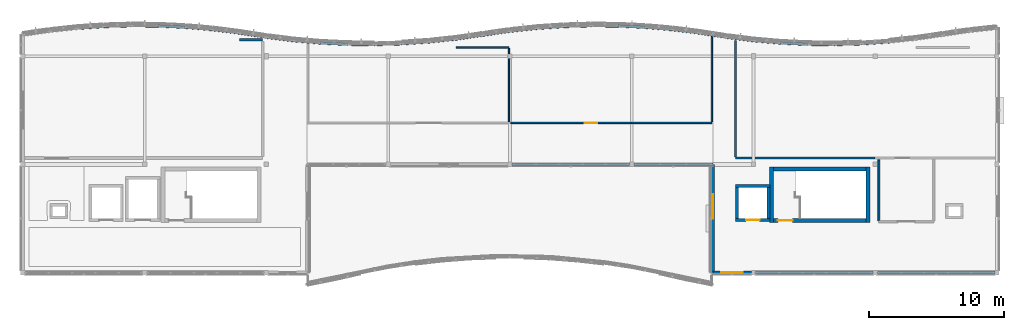
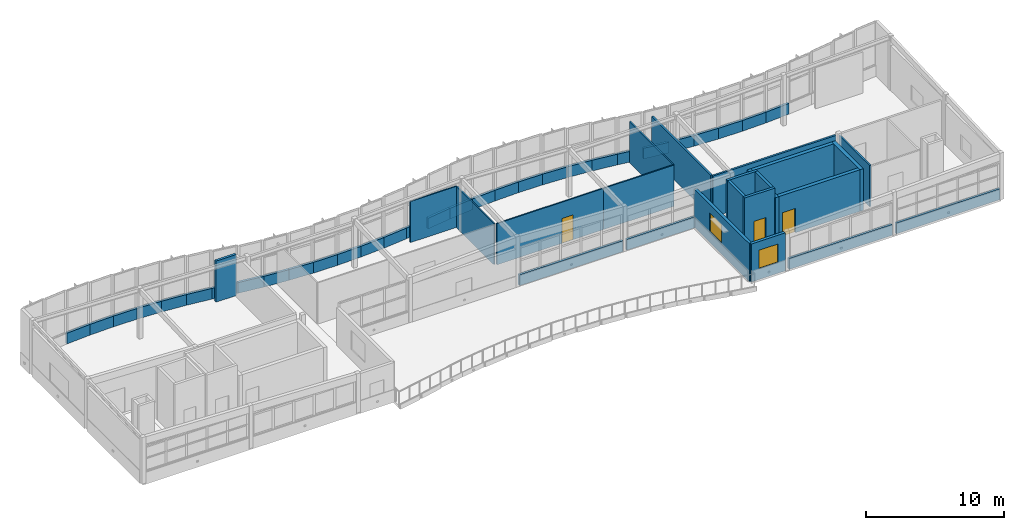
# One storey, part 14 of 20: 53 walls, 3 doors, 2 windows, 5 openings.
"""IFC4 building model written with IfcOpenShell, lengths in metres."""

from ifc_helpers import new_model, si_unit, direction, frame, frame_2d, origin, place, context, subcontext, project, spatial, rectangle, extrude, material, layer, layer_set, type_object, element, fill, save


model = new_model("IFC4")

# Units and contexts
model_context = context("Model", 3, precision=1e-05, world=origin(), true_north=direction((0.0, 1.0)))
body_context = subcontext(model_context, "Body", "Model", "MODEL_VIEW")
ifc_project = project(units=[si_unit("LENGTHUNIT", "METRE"), si_unit("AREAUNIT", "SQUARE_METRE"), si_unit("VOLUMEUNIT", "CUBIC_METRE"), si_unit("PLANEANGLEUNIT", "RADIAN"), si_unit("MASSUNIT", "GRAM", prefix="KILO")], contexts=[model_context])

# Site, building, storey
site_placement = place(None, origin())
site = spatial("IfcSite", under=ifc_project, at=site_placement, CompositionType="ELEMENT")
building_placement = place(site_placement, origin())
building = spatial("IfcBuilding", under=site, at=building_placement, Name="Tonlespit Floodbar School", CompositionType="ELEMENT")
storey_placement = place(building_placement, frame((0.0, 0.0, 20.10009765625)))
storey = spatial("IfcBuildingStorey", under=building, at=storey_placement, Name="L05", CompositionType="ELEMENT", Elevation=20.10009765625)

# Walls
ifc_material_1 = material(Name="Concrete C40/50", Category="concrete")
ifc_layer_1 = layer(ifc_material_1, 0.300048828125)
ifc_layer_set_1 = layer_set([ifc_layer_1], Name="Concrete C40/50")
wall_type_1 = type_object("IfcWallType", Name="CoreWall_RC_300", PredefinedType="SHEAR", material=ifc_layer_set_1)
for number, where, z_axis, x_axis, name in (
    (1, (99.35009765625, 107.699951171875, 0.0), (0.0, 0.0, 1.0), (0.0, 1.0, 0.0), "L05 core C2 shear wall NEAR"),
    (2, (106.449951171875, 111.800048828125, 0.0), (0.0, 0.0, 1.0), (0.0, -1.0, 0.0), "L05 core C2 shear wall FAR"),
):
    element("IfcWall", number, at=place(storey_placement, frame(where, z_axis=z_axis, x_axis=x_axis)), inside=storey, type_object=wall_type_1, Name=name, PredefinedType="SHEAR", context=body_context, shape_type="SweptSolid", body=[
        extrude(rectangle(XDim=4.10009765625, YDim=0.300048828125, at=frame_2d((2.050048828125, 0.0))), origin(), (0.0, 0.0, 1.0), 3.685302734375),
    ])

# Wall, opening, door
wall_1_placement = place(storey_placement, frame((99.5, 107.85009765625, 0.0), z_axis=(0.0, 0.0, 1.0), x_axis=(1.0, 0.0, 0.0)))
wall_1 = element("IfcWall", 3, at=wall_1_placement, inside=storey, type_object=wall_type_1, Name="L05 core C2 shear wall LEFT", PredefinedType="SHEAR", context=body_context, shape_type="SweptSolid", body=[
    extrude(rectangle(XDim=6.800048828125, YDim=0.300048828125, at=frame_2d((3.39990234375, 0.0))), origin(), (0.0, 0.0, 1.0), 3.685302734375),
])
opening_1_placement = place(wall_1_placement, frame((0.300048828125, 0.0, 0.0)))
opening_1 = element("IfcOpeningElement", 4, at=opening_1_placement, cuts=wall_1, Name="Opening FD1-C2-L05", PredefinedType="OPENING", context=body_context, shape_type="SweptSolid", body=[
    extrude(rectangle(XDim=1.10009765625, YDim=2.14990234375, at=frame_2d((0.550048828125, 1.074951171875))), frame((0.0, 0.159912109375, 0.0), z_axis=(0.0, -1.0, 0.0), x_axis=(1.0, 0.0, 0.0)), (0.0, 0.0, 1.0), 0.320068359375),
])
ifc_material_2 = material(Name="Galvanised Steel", Category="steel")
door_type_1 = type_object("IfcDoorType", Name="FireDoor_Stair_1100x2150", OperationType="NOTDEFINED", PredefinedType="DOOR", material=ifc_material_2)
door_1_placement = place(opening_1_placement, origin())
door_1 = element("IfcDoor", 5, at=door_1_placement, inside=storey, type_object=door_type_1, Name="L05 stair ST-C2 fire door", OperationType="SINGLE_SWING_RIGHT", OverallHeight=2.14990234375, OverallWidth=1.10009765625, PredefinedType="DOOR", context=body_context, shape_type="SweptSolid", body=[
    extrude(rectangle(XDim=1.10009765625, YDim=2.14990234375, at=frame_2d((0.550048828125, 1.074951171875))), frame((0.0, 0.02490234375, 0.0), z_axis=(0.0, -1.0, 0.0), x_axis=(1.0, 0.0, 0.0)), (0.0, 0.0, 1.0), 0.050048828125),
])
fill(opening_1, door_1)

# Wall
wall_2_placement = place(storey_placement, frame((106.300048828125, 111.64990234375, 0.0), z_axis=(0.0, 0.0, 1.0), x_axis=(-1.0, 0.0, 0.0)))
element("IfcWall", 6, at=wall_2_placement, inside=storey, type_object=wall_type_1, Name="L05 core C2 shear wall RGHT", PredefinedType="SHEAR", context=body_context, shape_type="SweptSolid", body=[
    extrude(rectangle(XDim=6.800048828125, YDim=0.300048828125, at=frame_2d((3.39990234375, 0.0))), origin(), (0.0, 0.0, 1.0), 3.685302734375),
])

# Wall, opening, window
ifc_material_3 = material(Name="Precast concrete C40/50", Category="concrete")
ifc_layer_2 = layer(ifc_material_3, 0.239990234375)
ifc_layer_set_2 = layer_set([ifc_layer_2], Name="Precast concrete C40/50")
wall_type_2 = type_object("IfcWallType", Name="ExtWall_Rainscreen_240", PredefinedType="SOLIDWALL", material=ifc_layer_set_2)
wall_3_placement = place(storey_placement, frame((97.840087890625, 104.0, 0.0), z_axis=(0.0, 0.0, 1.0), x_axis=(-1.0, 0.0, 0.0)))
wall_3 = element("IfcWall", 7, at=wall_3_placement, inside=storey, type_object=wall_type_2, Name="L05 external wall 0274", PredefinedType="SOLIDWALL", context=body_context, shape_type="SweptSolid", body=[
    extrude(rectangle(XDim=2.840087890625, YDim=0.239990234375, at=frame_2d((1.419921875, 0.0))), origin(), (0.0, 0.0, 1.0), 3.37158203125),
])
opening_2_placement = place(wall_3_placement, frame((0.6201171875, 0.0, 0.949951171875)))
opening_2 = element("IfcOpeningElement", 8, at=opening_2_placement, cuts=wall_3, Name="Opening W-L05-011", PredefinedType="OPENING", context=body_context, shape_type="SweptSolid", body=[
    extrude(rectangle(XDim=1.60009765625, YDim=1.64990234375, at=frame_2d((0.800048828125, 0.824951171875))), frame((0.0, 0.1298828125, 0.0), z_axis=(0.0, -1.0, 0.0), x_axis=(1.0, 0.0, 0.0)), (0.0, 0.0, 1.0), 0.260009765625),
])
ifc_material_4 = material(Name="Tempered Double Glazing", Category="glass")
window_type_1 = type_object("IfcWindowType", Name="Win_Mod_1600x1650", PartitioningType="DOUBLE_PANEL_VERTICAL", PredefinedType="WINDOW", material=ifc_material_4)
window_1_placement = place(opening_2_placement, origin())
window_1 = element("IfcWindow", 9, at=window_1_placement, inside=storey, type_object=window_type_1, Name="L05 window W-L05-011", OverallHeight=1.64990234375, OverallWidth=1.60009765625, PartitioningType="DOUBLE_PANEL_VERTICAL", PredefinedType="WINDOW", context=body_context, shape_type="SweptSolid", body=[
    extrude(rectangle(XDim=1.60009765625, YDim=1.64990234375, at=frame_2d((0.800048828125, 0.824951171875))), frame((0.0, 0.030029296875, 0.0), z_axis=(0.0, -1.0, 0.0), x_axis=(1.0, 0.0, 0.0)), (0.0, 0.0, 1.0), 0.06005859375),
])
fill(opening_2, window_1)

wall_4_placement = place(storey_placement, frame((95.0, 104.0, 0.0), z_axis=(0.0, 0.0, 1.0), x_axis=(0.0, 1.0, 0.0)))
wall_4 = element("IfcWall", 10, at=wall_4_placement, inside=storey, type_object=wall_type_2, Name="L05 external wall 0275", PredefinedType="SOLIDWALL", context=body_context, shape_type="SweptSolid", body=[
    extrude(rectangle(XDim=8.0, YDim=0.239990234375, at=frame_2d((4.0, 0.0))), origin(), (0.0, 0.0, 1.0), 3.37158203125),
])
opening_3_placement = place(wall_4_placement, frame((4.0, 0.0, 0.949951171875)))
opening_3 = element("IfcOpeningElement", 11, at=opening_3_placement, cuts=wall_4, Name="Opening W-L05-012", PredefinedType="OPENING", context=body_context, shape_type="SweptSolid", body=[
    extrude(rectangle(XDim=1.800048828125, YDim=1.64990234375, at=frame_2d((0.89990234375, 0.824951171875))), frame((0.0, 0.1298828125, 0.0), z_axis=(0.0, -1.0, 0.0), x_axis=(1.0, 0.0, 0.0)), (0.0, 0.0, 1.0), 0.260009765625),
])
window_type_2 = type_object("IfcWindowType", Name="Win_Mod_1800x1650", PartitioningType="DOUBLE_PANEL_VERTICAL", PredefinedType="WINDOW", material=ifc_material_4)
window_2_placement = place(opening_3_placement, origin())
window_2 = element("IfcWindow", 12, at=window_2_placement, inside=storey, type_object=window_type_2, Name="L05 window W-L05-012", OverallHeight=1.64990234375, OverallWidth=1.800048828125, PartitioningType="DOUBLE_PANEL_VERTICAL", PredefinedType="WINDOW", context=body_context, shape_type="SweptSolid", body=[
    extrude(rectangle(XDim=1.800048828125, YDim=1.64990234375, at=frame_2d((0.89990234375, 0.824951171875))), frame((0.0, 0.030029296875, 0.0), z_axis=(0.0, -1.0, 0.0), x_axis=(1.0, 0.0, 0.0)), (0.0, 0.0, 1.0), 0.06005859375),
])
fill(opening_3, window_2)

# Walls
ifc_material_5 = material(Name="White Architectural Precast concrete C40/50", Category="concrete")
ifc_layer_3 = layer(ifc_material_5, 0.199951171875)
ifc_layer_set_3 = layer_set([ifc_layer_3], Name="White Architectural Precast concrete C40/50")
wall_type_3 = type_object("IfcWallType", Name="ExtWall_Spandrel_White_200", PredefinedType="SOLIDWALL", material=ifc_layer_set_3)
wall_5_placement = place(storey_placement, frame((48.0, 122.05419921875, 0.0), z_axis=(0.0, 0.0, 1.0), x_axis=(0.997729302978, 0.067351599676, 0.0)))
element("IfcWall", 13, at=wall_5_placement, inside=storey, type_object=wall_type_3, Name="L05 spandrel wall 0238", PredefinedType="SOLIDWALL", context=body_context, shape_type="SweptSolid", body=[
    extrude(rectangle(XDim=2.004638671875, YDim=0.199951171875, at=frame_2d((1.00244140625, 0.0))), origin(), (0.0, 0.0, 1.0), 0.949951171875),
])
wall_6_placement = place(storey_placement, frame((50.0, 122.189208984375, 0.0), z_axis=(0.0, 0.0, 1.0), x_axis=(0.999581770858, 0.028918564416, 0.0)))
element("IfcWall", 14, at=wall_6_placement, inside=storey, type_object=wall_type_3, Name="L05 spandrel wall 0239", PredefinedType="SOLIDWALL", context=body_context, shape_type="SweptSolid", body=[
    extrude(rectangle(XDim=2.000732421875, YDim=0.199951171875, at=frame_2d((1.00048828125, 0.0))), origin(), (0.0, 0.0, 1.0), 0.949951171875),
])
wall_7_placement = place(storey_placement, frame((52.0, 122.2470703125, 0.0), z_axis=(0.0, 0.0, 1.0), x_axis=(0.999953504169, -0.009643106302, 0.0)))
element("IfcWall", 15, at=wall_7_placement, inside=storey, type_object=wall_type_3, Name="L05 spandrel wall 0240", PredefinedType="SOLIDWALL", context=body_context, shape_type="SweptSolid", body=[
    extrude(rectangle(XDim=2.0, YDim=0.199951171875, at=frame_2d((1.0, 0.0))), origin(), (0.0, 0.0, 1.0), 0.949951171875),
])
wall_8_placement = place(storey_placement, frame((54.0, 122.227783203125, 0.0), z_axis=(0.0, 0.0, 1.0), x_axis=(0.99884540439, -0.048040172037, 0.0)))
element("IfcWall", 16, at=wall_8_placement, inside=storey, type_object=wall_type_3, Name="L05 spandrel wall 0241", PredefinedType="SOLIDWALL", context=body_context, shape_type="SweptSolid", body=[
    extrude(rectangle(XDim=2.002197265625, YDim=0.199951171875, at=frame_2d((1.0009765625, 0.0))), origin(), (0.0, 0.0, 1.0), 0.949951171875),
])
wall_9_placement = place(storey_placement, frame((56.0, 122.131591796875, 0.0), z_axis=(0.0, 0.0, 1.0), x_axis=(0.996244237948, -0.086587633962, 0.0)))
element("IfcWall", 17, at=wall_9_placement, inside=storey, type_object=wall_type_3, Name="L05 spandrel wall 0242", PredefinedType="SOLIDWALL", context=body_context, shape_type="SweptSolid", body=[
    extrude(rectangle(XDim=2.007568359375, YDim=0.199951171875, at=frame_2d((1.00390625, 0.0))), origin(), (0.0, 0.0, 1.0), 0.949951171875),
])
wall_10_placement = place(storey_placement, frame((58.0, 121.957763671875, 0.0), z_axis=(0.0, 0.0, 1.0), x_axis=(0.992158168336, -0.124988675503, 0.0)))
element("IfcWall", 18, at=wall_10_placement, inside=storey, type_object=wall_type_3, Name="L05 spandrel wall 0243", PredefinedType="SOLIDWALL", context=body_context, shape_type="SweptSolid", body=[
    extrude(rectangle(XDim=2.015869140625, YDim=0.199951171875, at=frame_2d((1.0078125, 0.0))), origin(), (0.0, 0.0, 1.0), 0.949951171875),
])
wall_11_placement = place(storey_placement, frame((60.0, 121.705810546875, 0.0), z_axis=(0.0, 0.0, 1.0), x_axis=(0.988085509852, -0.153905897287, 0.0)))
element("IfcWall", 19, at=wall_11_placement, inside=storey, type_object=wall_type_3, Name="L05 spandrel wall 0244", PredefinedType="SOLIDWALL", context=body_context, shape_type="SweptSolid", body=[
    extrude(rectangle(XDim=2.024169921875, YDim=0.199951171875, at=frame_2d((1.01220703125, 0.0))), origin(), (0.0, 0.0, 1.0), 0.949951171875),
])
wall_12_placement = place(storey_placement, frame((62.0, 121.394287109375, 0.0), z_axis=(0.0, 0.0, 1.0), x_axis=(0.992158168336, -0.124988675503, 0.0)))
element("IfcWall", 20, at=wall_12_placement, inside=storey, type_object=wall_type_3, Name="L05 spandrel wall 0245", PredefinedType="SOLIDWALL", context=body_context, shape_type="SweptSolid", body=[
    extrude(rectangle(XDim=2.015869140625, YDim=0.199951171875, at=frame_2d((1.0078125, 0.0))), origin(), (0.0, 0.0, 1.0), 0.949951171875),
])
wall_13_placement = place(storey_placement, frame((64.0, 121.142333984375, 0.0), z_axis=(0.0, 0.0, 1.0), x_axis=(0.996244237948, -0.086587633962, 0.0)))
element("IfcWall", 21, at=wall_13_placement, inside=storey, type_object=wall_type_3, Name="L05 spandrel wall 0246", PredefinedType="SOLIDWALL", context=body_context, shape_type="SweptSolid", body=[
    extrude(rectangle(XDim=2.007568359375, YDim=0.199951171875, at=frame_2d((1.00390625, 0.0))), origin(), (0.0, 0.0, 1.0), 0.949951171875),
])
wall_14_placement = place(storey_placement, frame((66.0, 120.968505859375, 0.0), z_axis=(0.0, 0.0, 1.0), x_axis=(0.99884540439, -0.048040172037, 0.0)))
element("IfcWall", 22, at=wall_14_placement, inside=storey, type_object=wall_type_3, Name="L05 spandrel wall 0247", PredefinedType="SOLIDWALL", context=body_context, shape_type="SweptSolid", body=[
    extrude(rectangle(XDim=2.002197265625, YDim=0.199951171875, at=frame_2d((1.0009765625, 0.0))), origin(), (0.0, 0.0, 1.0), 0.949951171875),
])
wall_15_placement = place(storey_placement, frame((68.0, 120.872314453125, 0.0), z_axis=(0.0, 0.0, 1.0), x_axis=(0.999953504169, -0.009643106302, 0.0)))
element("IfcWall", 23, at=wall_15_placement, inside=storey, type_object=wall_type_3, Name="L05 spandrel wall 0248", PredefinedType="SOLIDWALL", context=body_context, shape_type="SweptSolid", body=[
    extrude(rectangle(XDim=2.0, YDim=0.199951171875, at=frame_2d((1.0, 0.0))), origin(), (0.0, 0.0, 1.0), 0.949951171875),
])
wall_16_placement = place(storey_placement, frame((70.0, 120.85302734375, 0.0), z_axis=(0.0, 0.0, 1.0), x_axis=(0.999585290582, 0.028796646555, 0.0)))
element("IfcWall", 24, at=wall_16_placement, inside=storey, type_object=wall_type_3, Name="L05 spandrel wall 0249", PredefinedType="SOLIDWALL", context=body_context, shape_type="SweptSolid", body=[
    extrude(rectangle(XDim=2.000732421875, YDim=0.199951171875, at=frame_2d((1.00048828125, 0.0))), origin(), (0.0, 0.0, 1.0), 0.949951171875),
])
wall_17_placement = place(storey_placement, frame((72.0, 120.91064453125, 0.0), z_axis=(0.0, 0.0, 1.0), x_axis=(0.997729302978, 0.067351599676, 0.0)))
element("IfcWall", 25, at=wall_17_placement, inside=storey, type_object=wall_type_3, Name="L05 spandrel wall 0250", PredefinedType="SOLIDWALL", context=body_context, shape_type="SweptSolid", body=[
    extrude(rectangle(XDim=2.004638671875, YDim=0.199951171875, at=frame_2d((1.00244140625, 0.0))), origin(), (0.0, 0.0, 1.0), 0.949951171875),
])
wall_18_placement = place(storey_placement, frame((74.0, 121.045654296875, 0.0), z_axis=(0.0, 0.0, 1.0), x_axis=(0.994395160059, 0.105727317433, 0.0)))
element("IfcWall", 26, at=wall_18_placement, inside=storey, type_object=wall_type_3, Name="L05 spandrel wall 0251", PredefinedType="SOLIDWALL", context=body_context, shape_type="SweptSolid", body=[
    extrude(rectangle(XDim=2.01123046875, YDim=0.199951171875, at=frame_2d((1.005615234375, 0.0))), origin(), (0.0, 0.0, 1.0), 0.949951171875),
])
for number, where, z_axis, x_axis, name in (
    (27, (76.0, 121.25830078125, 0.0), (0.0, 0.0, 1.0), (0.989527230727, 0.144346318447, 0.0), "L05 spandrel wall 0252"),
    (28, (78.0, 121.550048828125, 0.0), (0.0, 0.0, 1.0), (0.989544477223, 0.144228040259, 0.0), "L05 spandrel wall 0253"),
):
    element("IfcWall", number, at=place(storey_placement, frame(where, z_axis=z_axis, x_axis=x_axis)), inside=storey, type_object=wall_type_3, Name=name, PredefinedType="SOLIDWALL", context=body_context, shape_type="SweptSolid", body=[
        extrude(rectangle(XDim=2.021240234375, YDim=0.199951171875, at=frame_2d((1.0107421875, 0.0))), origin(), (0.0, 0.0, 1.0), 0.949951171875),
    ])
wall_19_placement = place(storey_placement, frame((80.0, 121.841552734375, 0.0), z_axis=(0.0, 0.0, 1.0), x_axis=(0.994395160059, 0.105727317433, 0.0)))
element("IfcWall", 29, at=wall_19_placement, inside=storey, type_object=wall_type_3, Name="L05 spandrel wall 0254", PredefinedType="SOLIDWALL", context=body_context, shape_type="SweptSolid", body=[
    extrude(rectangle(XDim=2.01123046875, YDim=0.199951171875, at=frame_2d((1.005615234375, 0.0))), origin(), (0.0, 0.0, 1.0), 0.949951171875),
])
wall_20_placement = place(storey_placement, frame((82.0, 122.05419921875, 0.0), z_axis=(0.0, 0.0, 1.0), x_axis=(0.997729302978, 0.067351599676, 0.0)))
element("IfcWall", 30, at=wall_20_placement, inside=storey, type_object=wall_type_3, Name="L05 spandrel wall 0255", PredefinedType="SOLIDWALL", context=body_context, shape_type="SweptSolid", body=[
    extrude(rectangle(XDim=2.004638671875, YDim=0.199951171875, at=frame_2d((1.00244140625, 0.0))), origin(), (0.0, 0.0, 1.0), 0.949951171875),
])
wall_21_placement = place(storey_placement, frame((84.0, 122.189208984375, 0.0), z_axis=(0.0, 0.0, 1.0), x_axis=(0.999581770858, 0.028918564416, 0.0)))
element("IfcWall", 31, at=wall_21_placement, inside=storey, type_object=wall_type_3, Name="L05 spandrel wall 0256", PredefinedType="SOLIDWALL", context=body_context, shape_type="SweptSolid", body=[
    extrude(rectangle(XDim=2.000732421875, YDim=0.199951171875, at=frame_2d((1.00048828125, 0.0))), origin(), (0.0, 0.0, 1.0), 0.949951171875),
])
wall_22_placement = place(storey_placement, frame((86.0, 122.2470703125, 0.0), z_axis=(0.0, 0.0, 1.0), x_axis=(0.999953504169, -0.009643106302, 0.0)))
element("IfcWall", 32, at=wall_22_placement, inside=storey, type_object=wall_type_3, Name="L05 spandrel wall 0257", PredefinedType="SOLIDWALL", context=body_context, shape_type="SweptSolid", body=[
    extrude(rectangle(XDim=2.0, YDim=0.199951171875, at=frame_2d((1.0, 0.0))), origin(), (0.0, 0.0, 1.0), 0.949951171875),
])
wall_23_placement = place(storey_placement, frame((88.0, 122.227783203125, 0.0), z_axis=(0.0, 0.0, 1.0), x_axis=(0.99884540439, -0.048040172037, 0.0)))
element("IfcWall", 33, at=wall_23_placement, inside=storey, type_object=wall_type_3, Name="L05 spandrel wall 0258", PredefinedType="SOLIDWALL", context=body_context, shape_type="SweptSolid", body=[
    extrude(rectangle(XDim=2.002197265625, YDim=0.199951171875, at=frame_2d((1.0009765625, 0.0))), origin(), (0.0, 0.0, 1.0), 0.949951171875),
])
wall_24_placement = place(storey_placement, frame((90.0, 122.131591796875, 0.0), z_axis=(0.0, 0.0, 1.0), x_axis=(0.996244237948, -0.086587633962, 0.0)))
element("IfcWall", 34, at=wall_24_placement, inside=storey, type_object=wall_type_3, Name="L05 spandrel wall 0259", PredefinedType="SOLIDWALL", context=body_context, shape_type="SweptSolid", body=[
    extrude(rectangle(XDim=2.007568359375, YDim=0.199951171875, at=frame_2d((1.00390625, 0.0))), origin(), (0.0, 0.0, 1.0), 0.949951171875),
])
wall_25_placement = place(storey_placement, frame((92.0, 121.957763671875, 0.0), z_axis=(0.0, 0.0, 1.0), x_axis=(0.992158168336, -0.124988675503, 0.0)))
element("IfcWall", 35, at=wall_25_placement, inside=storey, type_object=wall_type_3, Name="L05 spandrel wall 0260", PredefinedType="SOLIDWALL", context=body_context, shape_type="SweptSolid", body=[
    extrude(rectangle(XDim=2.015869140625, YDim=0.199951171875, at=frame_2d((1.0078125, 0.0))), origin(), (0.0, 0.0, 1.0), 0.949951171875),
])
wall_26_placement = place(storey_placement, frame((94.0, 121.705810546875, 0.0), z_axis=(0.0, 0.0, 1.0), x_axis=(0.988085509852, -0.153905897287, 0.0)))
element("IfcWall", 36, at=wall_26_placement, inside=storey, type_object=wall_type_3, Name="L05 spandrel wall 0261", PredefinedType="SOLIDWALL", context=body_context, shape_type="SweptSolid", body=[
    extrude(rectangle(XDim=2.024169921875, YDim=0.199951171875, at=frame_2d((1.01220703125, 0.0))), origin(), (0.0, 0.0, 1.0), 0.949951171875),
])
wall_27_placement = place(storey_placement, frame((96.0, 121.394287109375, 0.0), z_axis=(0.0, 0.0, 1.0), x_axis=(0.992158168336, -0.124988675503, 0.0)))
element("IfcWall", 37, at=wall_27_placement, inside=storey, type_object=wall_type_3, Name="L05 spandrel wall 0262", PredefinedType="SOLIDWALL", context=body_context, shape_type="SweptSolid", body=[
    extrude(rectangle(XDim=2.015869140625, YDim=0.199951171875, at=frame_2d((1.0078125, 0.0))), origin(), (0.0, 0.0, 1.0), 0.949951171875),
])
wall_28_placement = place(storey_placement, frame((98.0, 121.142333984375, 0.0), z_axis=(0.0, 0.0, 1.0), x_axis=(0.996244237948, -0.086587633962, 0.0)))
element("IfcWall", 38, at=wall_28_placement, inside=storey, type_object=wall_type_3, Name="L05 spandrel wall 0263", PredefinedType="SOLIDWALL", context=body_context, shape_type="SweptSolid", body=[
    extrude(rectangle(XDim=2.007568359375, YDim=0.199951171875, at=frame_2d((1.00390625, 0.0))), origin(), (0.0, 0.0, 1.0), 0.949951171875),
])
wall_29_placement = place(storey_placement, frame((100.0, 120.968505859375, 0.0), z_axis=(0.0, 0.0, 1.0), x_axis=(0.99884540439, -0.048040172037, 0.0)))
element("IfcWall", 39, at=wall_29_placement, inside=storey, type_object=wall_type_3, Name="L05 spandrel wall 0264", PredefinedType="SOLIDWALL", context=body_context, shape_type="SweptSolid", body=[
    extrude(rectangle(XDim=2.002197265625, YDim=0.199951171875, at=frame_2d((1.0009765625, 0.0))), origin(), (0.0, 0.0, 1.0), 0.949951171875),
])
wall_30_placement = place(storey_placement, frame((102.0, 120.872314453125, 0.0), z_axis=(0.0, 0.0, 1.0), x_axis=(0.999953504169, -0.009643106302, 0.0)))
element("IfcWall", 40, at=wall_30_placement, inside=storey, type_object=wall_type_3, Name="L05 spandrel wall 0265", PredefinedType="SOLIDWALL", context=body_context, shape_type="SweptSolid", body=[
    extrude(rectangle(XDim=2.0, YDim=0.199951171875, at=frame_2d((1.0, 0.0))), origin(), (0.0, 0.0, 1.0), 0.949951171875),
])
wall_31_placement = place(storey_placement, frame((104.0, 120.85302734375, 0.0), z_axis=(0.0, 0.0, 1.0), x_axis=(0.999585290582, 0.028796646555, 0.0)))
element("IfcWall", 41, at=wall_31_placement, inside=storey, type_object=wall_type_3, Name="L05 spandrel wall 0266", PredefinedType="SOLIDWALL", context=body_context, shape_type="SweptSolid", body=[
    extrude(rectangle(XDim=2.000732421875, YDim=0.199951171875, at=frame_2d((1.00048828125, 0.0))), origin(), (0.0, 0.0, 1.0), 0.949951171875),
])
wall_32_placement = place(storey_placement, frame((106.0, 120.91064453125, 0.0), z_axis=(0.0, 0.0, 1.0), x_axis=(0.997729302978, 0.067351599676, 0.0)))
element("IfcWall", 42, at=wall_32_placement, inside=storey, type_object=wall_type_3, Name="L05 spandrel wall 0267", PredefinedType="SOLIDWALL", context=body_context, shape_type="SweptSolid", body=[
    extrude(rectangle(XDim=2.004638671875, YDim=0.199951171875, at=frame_2d((1.00244140625, 0.0))), origin(), (0.0, 0.0, 1.0), 0.949951171875),
])
for number, where, z_axis, x_axis, name in (
    (43, (115.840087890625, 104.0, 0.0), (0.0, 0.0, 1.0), (-1.0, 0.0, 0.0), "L05 spandrel wall 0272"),
    (44, (106.840087890625, 104.0, 0.0), (0.0, 0.0, 1.0), (-1.0, 0.0, 0.0), "L05 spandrel wall 0273"),
):
    element("IfcWall", number, at=place(storey_placement, frame(where, z_axis=z_axis, x_axis=x_axis)), inside=storey, type_object=wall_type_3, Name=name, PredefinedType="SOLIDWALL", context=body_context, shape_type="SweptSolid", body=[
        extrude(rectangle(XDim=8.68017578125, YDim=0.199951171875, at=frame_2d((4.340087890625, 0.0))), origin(), (0.0, 0.0, 1.0), 0.949951171875),
    ])
wall_33_placement = place(storey_placement, frame((95.0, 112.0, 0.0), z_axis=(0.0, 0.0, 1.0), x_axis=(-1.0, 0.0, 0.0)))
element("IfcWall", 45, at=wall_33_placement, inside=storey, type_object=wall_type_3, Name="L05 spandrel wall 0276", PredefinedType="SOLIDWALL", context=body_context, shape_type="SweptSolid", body=[
    extrude(rectangle(XDim=5.840087890625, YDim=0.199951171875, at=frame_2d((2.919921875, 0.0))), origin(), (0.0, 0.0, 1.0), 0.949951171875),
])
wall_34_placement = place(storey_placement, frame((88.840087890625, 112.0, 0.0), z_axis=(0.0, 0.0, 1.0), x_axis=(-1.0, 0.0, 0.0)))
element("IfcWall", 46, at=wall_34_placement, inside=storey, type_object=wall_type_3, Name="L05 spandrel wall 0277", PredefinedType="SOLIDWALL", context=body_context, shape_type="SweptSolid", body=[
    extrude(rectangle(XDim=8.68017578125, YDim=0.199951171875, at=frame_2d((4.340087890625, 0.0))), origin(), (0.0, 0.0, 1.0), 0.949951171875),
])
ifc_material_6 = material(Name="Gypsum Plasterboard Partition")
ifc_layer_4 = layer(ifc_material_6, 0.159912109375)
ifc_layer_set_4 = layer_set([ifc_layer_4], Name="Gypsum Plasterboard Partition")
wall_type_4 = type_object("IfcWallType", Name="FireWall_Lab_160", PredefinedType="PARTITIONING", material=ifc_layer_set_4)
wall_35_placement = place(storey_placement, frame((96.669921875, 112.469970703125, 0.0), z_axis=(0.0, 0.0, 1.0), x_axis=(1.0, 0.0, 0.0)))
element("IfcWall", 47, at=wall_35_placement, inside=storey, type_object=wall_type_4, Name="L05 partition wall 0142", PredefinedType="PARTITIONING", context=body_context, shape_type="SweptSolid", body=[
    extrude(rectangle(XDim=10.330078125, YDim=0.159912109375, at=frame_2d((5.1650390625, 0.0))), origin(), (0.0, 0.0, 1.0), 3.64990234375),
])
wall_36_placement = place(storey_placement, frame((96.669921875, 112.56494140625, 0.0), z_axis=(0.0, 0.0, 1.0), x_axis=(0.0, 1.0, 0.0)))
element("IfcWall", 48, at=wall_36_placement, inside=storey, type_object=wall_type_4, Name="L05 partition wall 0145", PredefinedType="PARTITIONING", context=body_context, shape_type="SweptSolid", body=[
    extrude(rectangle(XDim=8.60302734375, YDim=0.159912109375, at=frame_2d((4.301513671875, 0.0))), origin(), (0.0, 0.0, 1.0), 3.64990234375),
])
ifc_layer_5 = layer(ifc_material_6, 0.10009765625)
ifc_layer_set_5 = layer_set([ifc_layer_5], Name="Gypsum Plasterboard Partition")
wall_type_5 = type_object("IfcWallType", Name="Partition_Gyp_100", PredefinedType="PARTITIONING", material=ifc_layer_set_5)
wall_37_placement = place(storey_placement, frame((76.02001953125, 120.64599609375, 0.0), z_axis=(0.0, 0.0, 1.0), x_axis=(1.0, 0.0, 0.0)))
element("IfcWall", 49, at=wall_37_placement, inside=storey, type_object=wall_type_5, Name="L05 partition wall 0136", PredefinedType="PARTITIONING", context=body_context, shape_type="SweptSolid", body=[
    extrude(rectangle(XDim=3.909912109375, YDim=0.10009765625, at=frame_2d((1.955078125, 0.0))), origin(), (0.0, 0.0, 1.0), 3.64990234375),
])
wall_38_placement = place(storey_placement, frame((79.929931640625, 115.135009765625, 0.0), z_axis=(0.0, 0.0, 1.0), x_axis=(0.0, 1.0, 0.0)))
element("IfcWall", 50, at=wall_38_placement, inside=storey, type_object=wall_type_5, Name="L05 partition wall 0138", PredefinedType="PARTITIONING", context=body_context, shape_type="SweptSolid", body=[
    extrude(rectangle(XDim=5.446044921875, YDim=0.10009765625, at=frame_2d((2.72314453125, 0.0))), origin(), (0.0, 0.0, 1.0), 3.64990234375),
])

# Wall, opening, door
ifc_layer_6 = layer(ifc_material_6, 0.110107421875)
ifc_layer_set_6 = layer_set([ifc_layer_6], Name="Gypsum Plasterboard Partition")
wall_type_6 = type_object("IfcWallType", Name="Partition_Gyp_110", PredefinedType="PARTITIONING", material=ifc_layer_set_6)
wall_39_placement = place(storey_placement, frame((80.070068359375, 115.070068359375, 0.0), z_axis=(0.0, 0.0, 1.0), x_axis=(1.0, 0.0, 0.0)))
wall_39 = element("IfcWall", 51, at=wall_39_placement, inside=storey, type_object=wall_type_6, Name="L05 partition wall 0139", PredefinedType="PARTITIONING", context=body_context, shape_type="SweptSolid", body=[
    extrude(rectangle(XDim=8.929931640625, YDim=0.110107421875, at=frame_2d((4.46484375, 0.0))), origin(), (0.0, 0.0, 1.0), 3.64990234375),
])
opening_4_placement = place(wall_39_placement, frame((5.469970703125, 0.0, 0.0)))
opening_4 = element("IfcOpeningElement", 52, at=opening_4_placement, cuts=wall_39, Name="Opening D-L05-044", PredefinedType="OPENING", context=body_context, shape_type="SweptSolid", body=[
    extrude(rectangle(XDim=0.919921875, YDim=2.199951171875, at=frame_2d((0.4599609375, 1.10009765625))), frame((0.0, 0.06494140625, 0.0), z_axis=(0.0, -1.0, 0.0), x_axis=(1.0, 0.0, 0.0)), (0.0, 0.0, 1.0), 0.130126953125),
])
ifc_material_7 = material(Name="Hardwood Timber", Category="wood")
door_type_2 = type_object("IfcDoorType", Name="IntDoor_920x2200", OperationType="NOTDEFINED", PredefinedType="DOOR", material=ifc_material_7)
door_2_placement = place(opening_4_placement, origin())
door_2 = element("IfcDoor", 53, at=door_2_placement, inside=storey, type_object=door_type_2, Name="L05 interior door D-L05-044", OperationType="SINGLE_SWING_LEFT", OverallHeight=2.199951171875, OverallWidth=0.919921875, PredefinedType="DOOR", context=body_context, shape_type="SweptSolid", body=[
    extrude(rectangle(XDim=0.919921875, YDim=2.199951171875, at=frame_2d((0.4599609375, 1.10009765625))), frame((0.0, 0.02490234375, 0.0), z_axis=(0.0, -1.0, 0.0), x_axis=(1.0, 0.0, 0.0)), (0.0, 0.0, 1.0), 0.050048828125),
])
fill(opening_4, door_2)

# Walls
wall_40_placement = place(storey_placement, frame((89.0, 115.070068359375, 0.0), z_axis=(0.0, 0.0, 1.0), x_axis=(1.0, 0.0, 0.0)))
element("IfcWall", 54, at=wall_40_placement, inside=storey, type_object=wall_type_6, Name="L05 partition wall 0140", PredefinedType="PARTITIONING", context=body_context, shape_type="SweptSolid", body=[
    extrude(rectangle(XDim=5.929931640625, YDim=0.110107421875, at=frame_2d((2.96484375, 0.0))), origin(), (0.0, 0.0, 1.0), 3.64990234375),
])
wall_41_placement = place(storey_placement, frame((94.929931640625, 115.139892578125, 0.0), z_axis=(0.0, 0.0, 1.0), x_axis=(0.0, 1.0, 0.0)))
element("IfcWall", 55, at=wall_41_placement, inside=storey, type_object=wall_type_6, Name="L05 partition wall 0141", PredefinedType="PARTITIONING", context=body_context, shape_type="SweptSolid", body=[
    extrude(rectangle(XDim=6.279052734375, YDim=0.110107421875, at=frame_2d((3.1396484375, 0.0))), origin(), (0.0, 0.0, 1.0), 3.64990234375),
])
ifc_layer_7 = layer(ifc_material_6, 0.1298828125)
ifc_layer_set_7 = layer_set([ifc_layer_7], Name="Gypsum Plasterboard Partition")
wall_type_7 = type_object("IfcWallType", Name="Partition_Gyp_130", PredefinedType="PARTITIONING", material=ifc_layer_set_7)
wall_42_placement = place(storey_placement, frame((107.27001953125, 107.85009765625, 0.0), z_axis=(0.0, 0.0, 1.0), x_axis=(0.0, 1.0, 0.0)))
element("IfcWall", 56, at=wall_42_placement, inside=storey, type_object=wall_type_7, Name="L05 partition wall 0147", PredefinedType="PARTITIONING", context=body_context, shape_type="SweptSolid", body=[
    extrude(rectangle(XDim=4.47998046875, YDim=0.1298828125, at=frame_2d((2.239990234375, 0.0))), origin(), (0.0, 0.0, 1.0), 3.64990234375),
])
ifc_layer_8 = layer(ifc_material_6, 0.195068359375)
ifc_layer_set_8 = layer_set([ifc_layer_8], Name="Gypsum Plasterboard Partition")
wall_type_8 = type_object("IfcWallType", Name="Partition_Gyp_195", PredefinedType="PARTITIONING", material=ifc_layer_set_8)
wall_43_placement = place(storey_placement, frame((60.02001953125, 121.214111328125, 0.0), z_axis=(0.0, 0.0, 1.0), x_axis=(1.0, 0.0, 0.0)))
element("IfcWall", 57, at=wall_43_placement, inside=storey, type_object=wall_type_8, Name="L05 partition wall 0132", PredefinedType="PARTITIONING", context=body_context, shape_type="SweptSolid", body=[
    extrude(rectangle(XDim=1.7099609375, YDim=0.195068359375, at=frame_2d((0.85498046875, 0.0))), origin(), (0.0, 0.0, 1.0), 3.64990234375),
])

# Wall, opening, door
ifc_layer_9 = layer(ifc_material_1, 0.219970703125)
ifc_layer_set_9 = layer_set([ifc_layer_9], Name="Concrete C40/50")
wall_type_9 = type_object("IfcWallType", Name="ShaftWall_RC_220", PredefinedType="SHEAR", material=ifc_layer_set_9)
wall_44_placement = place(storey_placement, frame((99.219970703125, 107.889892578125, 0.0), z_axis=(0.0, 0.0, 1.0), x_axis=(-1.0, 0.0, 0.0)))
wall_44 = element("IfcWall", 58, at=wall_44_placement, inside=storey, type_object=wall_type_9, Name="L05 lift LP-2 shaft wall S", PredefinedType="SHEAR", context=body_context, shape_type="SweptSolid", body=[
    extrude(rectangle(XDim=2.5400390625, YDim=0.219970703125, at=frame_2d((1.27001953125, 0.0))), origin(), (0.0, 0.0, 1.0), 4.5),
])
opening_5_placement = place(wall_44_placement, frame((0.77001953125, 0.0, 0.0)))
opening_5 = element("IfcOpeningElement", 59, at=opening_5_placement, cuts=wall_44, Name="Opening LD-LP-2-L05", PredefinedType="OPENING", context=body_context, shape_type="SweptSolid", body=[
    extrude(rectangle(XDim=1.0, YDim=2.14990234375, at=frame_2d((0.5, 1.074951171875))), frame((0.0, 0.119873046875, 0.0), z_axis=(0.0, -1.0, 0.0), x_axis=(1.0, 0.0, 0.0)), (0.0, 0.0, 1.0), 0.239990234375),
])
ifc_material_8 = material(Name="Anodised Aluminium", Category="aluminium")
door_type_3 = type_object("IfcDoorType", Name="LiftDoor_Pass_1000x2150", OperationType="DOUBLE_DOOR_SLIDING", PredefinedType="DOOR", material=ifc_material_8)
door_3_placement = place(opening_5_placement, origin())
door_3 = element("IfcDoor", 60, at=door_3_placement, inside=storey, type_object=door_type_3, Name="L05 lift LP-2 sliding landing door", OperationType="DOUBLE_DOOR_SLIDING", OverallHeight=2.14990234375, OverallWidth=1.0, PredefinedType="DOOR", context=body_context, shape_type="SweptSolid", body=[
    extrude(rectangle(XDim=1.0, YDim=2.14990234375, at=frame_2d((0.5, 1.074951171875))), frame((0.0, 0.02490234375, 0.0), z_axis=(0.0, -1.0, 0.0), x_axis=(1.0, 0.0, 0.0)), (0.0, 0.0, 1.0), 0.050048828125),
])
fill(opening_5, door_3)

# Walls
wall_45_placement = place(storey_placement, frame((96.679931640625, 110.409912109375, 0.0), z_axis=(0.0, 0.0, 1.0), x_axis=(1.0, 0.0, 0.0)))
element("IfcWall", 61, at=wall_45_placement, inside=storey, type_object=wall_type_9, Name="L05 lift LP-2 shaft wall N", PredefinedType="SHEAR", context=body_context, shape_type="SweptSolid", body=[
    extrude(rectangle(XDim=2.5400390625, YDim=0.219970703125, at=frame_2d((1.27001953125, 0.0))), origin(), (0.0, 0.0, 1.0), 4.5),
])
for number, where, z_axis, x_axis, name in (
    (62, (96.7900390625, 108.0, 0.0), (0.0, 0.0, 1.0), (0.0, 1.0, 0.0), "L05 lift LP-2 shaft wall W"),
    (63, (99.110107421875, 110.300048828125, 0.0), (0.0, 0.0, 1.0), (0.0, -1.0, 0.0), "L05 lift LP-2 shaft wall E"),
):
    element("IfcWall", number, at=place(storey_placement, frame(where, z_axis=z_axis, x_axis=x_axis)), inside=storey, type_object=wall_type_9, Name=name, PredefinedType="SHEAR", context=body_context, shape_type="SweptSolid", body=[
        extrude(rectangle(XDim=2.300048828125, YDim=0.219970703125, at=frame_2d((1.14990234375, 0.0))), origin(), (0.0, 0.0, 1.0), 4.5),
    ])

save(model, "model.ifc")
